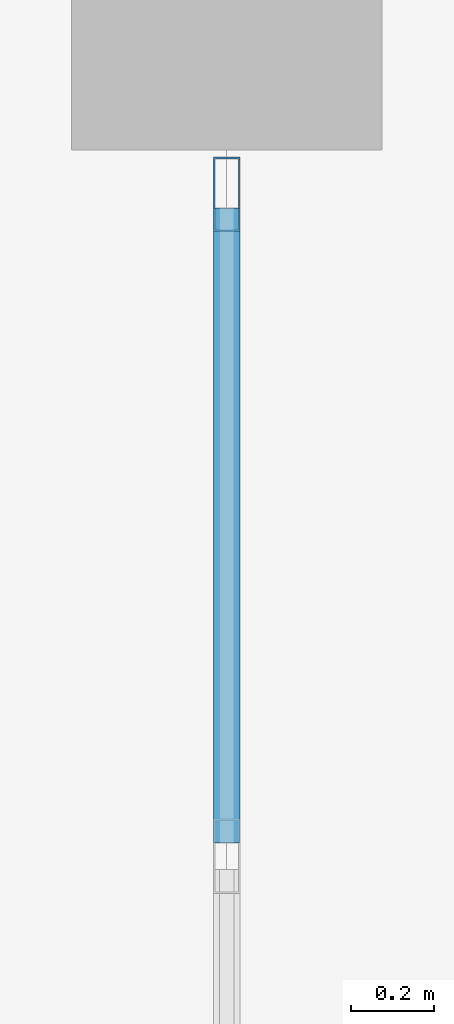
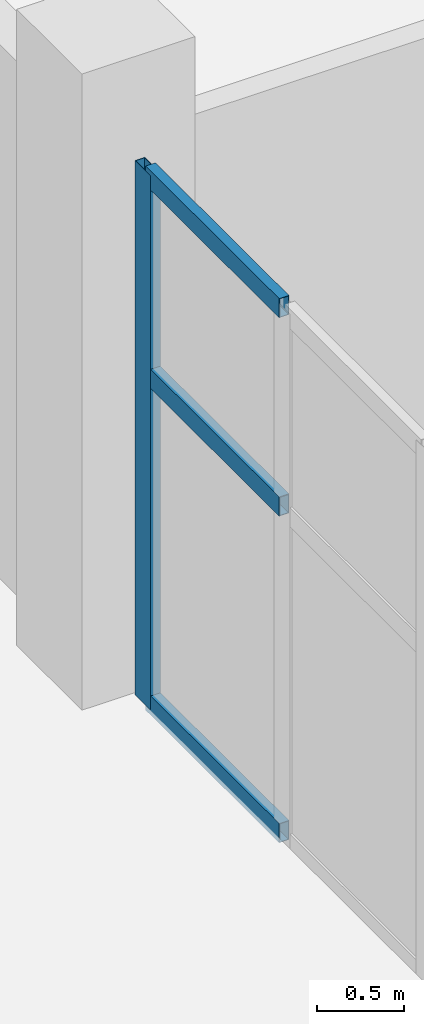
# One storey, part 31 of 132: 4 members, 1 element without a shape of its own.
"""IFC4 building model written with IfcOpenShell, lengths in metres."""

from ifc_helpers import new_model, si_unit, direction, frame, origin, origin_2d, place, context, subcontext, project, spatial, hollow_rectangle, extrude, material, material_profile, profile_set, type_object, element, aggregate, save


model = new_model("IFC4")

# Units and contexts
model_context = context("Model", 3, precision=1e-05, world=origin(), true_north=direction((0.0, 1.0)))
body_context = subcontext(model_context, "Body", "Model", "MODEL_VIEW")
ifc_project = project(units=[si_unit("LENGTHUNIT", "METRE"), si_unit("AREAUNIT", "SQUARE_METRE"), si_unit("VOLUMEUNIT", "CUBIC_METRE"), si_unit("PLANEANGLEUNIT", "RADIAN"), si_unit("MASSUNIT", "GRAM", prefix="KILO")], contexts=[model_context])

# Site, building, storey
site_placement = place(None, origin())
site = spatial("IfcSite", under=ifc_project, at=site_placement, CompositionType="ELEMENT")
building_placement = place(site_placement, origin())
building = spatial("IfcBuilding", under=site, at=building_placement, Name="Tanwirah Colonnade Gardens", CompositionType="ELEMENT")
storey_placement = place(building_placement, origin())
storey = spatial("IfcBuildingStorey", under=building, at=storey_placement, Name="L00", CompositionType="ELEMENT", Elevation=0.0)

# Curtain wall, members
ifc_material_1 = material(Name="Bronze-anodised aluminium and solar-control low-E glass", Category="aluminium")
curtain_wall_type = type_object("IfcCurtainWallType", Name="CW-HALL", PredefinedType="NOTDEFINED", material=ifc_material_1)
curtain_wall_placement = place(storey_placement, origin())
curtain_wall = element("IfcCurtainWall", 1, at=curtain_wall_placement, inside=storey, type_object=curtain_wall_type, Name="Curtain Wall CW-HALL-L00-W-4", PredefinedType="NOTDEFINED")
ifc_material_2 = material(Name="Bronze-anodised aluminium", Category="aluminium")
ifc_material_profile_1 = material_profile(ifc_material_2, hollow_rectangle(XDim=0.06494140625, YDim=0.179931640625, WallThickness=0.00390625, at=origin_2d()), Name="CW-MUL 65x180x4")
ifc_profile_set_1 = profile_set([ifc_material_profile_1], Name="Bronze-anodised aluminium")
member_type_1 = type_object("IfcMemberType", Name="CWM-65x180", PredefinedType="MULLION", material=ifc_profile_set_1)
member_1_placement = place(storey_placement, frame((78.0, 62.517578125, 0.0), z_axis=(0.0, 0.0, 1.0), x_axis=(-1.0, 0.0, 0.0)))
member_1 = element("IfcMember", 2, at=member_1_placement, type_object=member_type_1, Name="CW-HALL mullion 4", PredefinedType="MULLION", context=body_context, shape_type="SweptSolid", body=[
    extrude(hollow_rectangle(XDim=0.06494140625, YDim=0.179931640625, WallThickness=0.00390625, at=origin_2d()), origin(), (0.0, 0.0, 1.0), 3.75),
])
ifc_material_profile_2 = material_profile(ifc_material_2, hollow_rectangle(XDim=0.06494140625, YDim=0.135009765625, WallThickness=0.00390625, at=origin_2d()), Name="CW-TRN 65x135x4")
ifc_profile_set_2 = profile_set([ifc_material_profile_2], Name="Bronze-anodised aluminium")
member_type_2 = type_object("IfcMemberType", Name="CWT-65x135", PredefinedType="USERDEFINED", material=ifc_profile_set_2)
member_2_placement = place(storey_placement, frame((78.0, 60.94921875, 0.032470703125), z_axis=(0.0, 1.0, 0.0), x_axis=(-1.0, 0.0, 0.0)))
member_2 = element("IfcMember", 3, at=member_2_placement, type_object=member_type_2, Name="CW-HALL transom 3.1", ObjectType="TRANSOM", PredefinedType="USERDEFINED", context=body_context, shape_type="SweptSolid", body=[
    extrude(hollow_rectangle(XDim=0.06494140625, YDim=0.135009765625, WallThickness=0.00390625, at=origin_2d()), origin(), (0.0, 0.0, 1.0), 1.535888671875),
])
member_3_placement = place(storey_placement, frame((78.0, 60.94921875, 2.324951171875), z_axis=(0.0, 1.0, 0.0), x_axis=(-1.0, 0.0, 0.0)))
member_3 = element("IfcMember", 4, at=member_3_placement, type_object=member_type_2, Name="CW-HALL transom 3.2", ObjectType="TRANSOM", PredefinedType="USERDEFINED", context=body_context, shape_type="SweptSolid", body=[
    extrude(hollow_rectangle(XDim=0.06494140625, YDim=0.135009765625, WallThickness=0.00390625, at=origin_2d()), origin(), (0.0, 0.0, 1.0), 1.535888671875),
])
member_4_placement = place(storey_placement, frame((78.0, 60.94921875, 3.717529296875), z_axis=(0.0, 1.0, 0.0), x_axis=(-1.0, 0.0, 0.0)))
member_4 = element("IfcMember", 5, at=member_4_placement, type_object=member_type_2, Name="CW-HALL transom 3.3", ObjectType="TRANSOM", PredefinedType="USERDEFINED", context=body_context, shape_type="SweptSolid", body=[
    extrude(hollow_rectangle(XDim=0.06494140625, YDim=0.135009765625, WallThickness=0.00390625, at=origin_2d()), origin(), (0.0, 0.0, 1.0), 1.535888671875),
])
aggregate(curtain_wall, [member_1, member_2, member_3, member_4])

save(model, "model.ifc")
